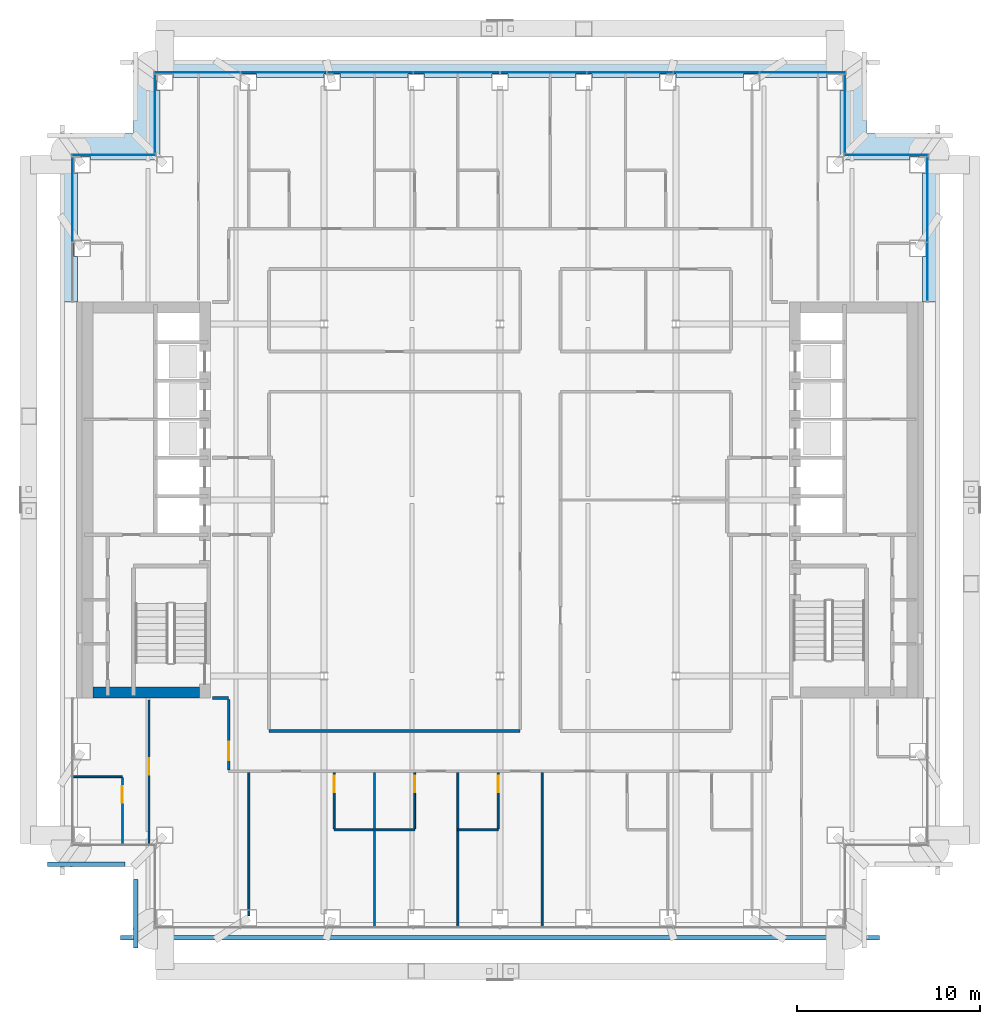
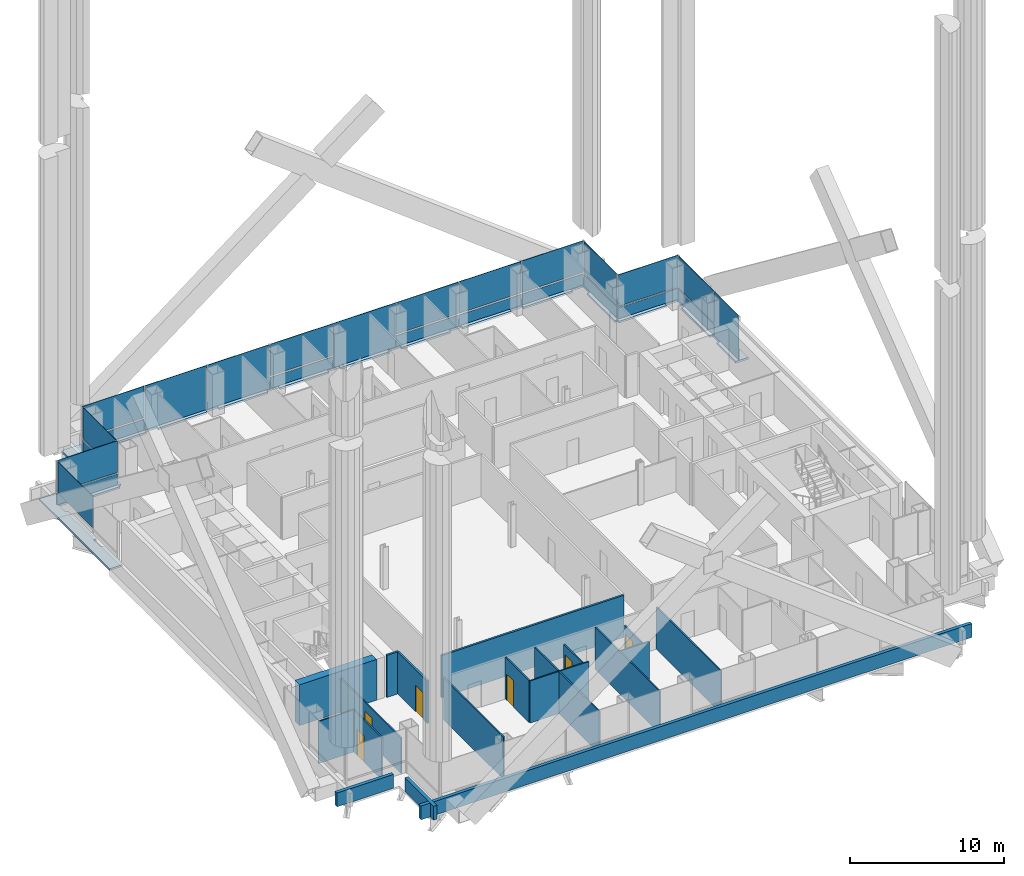
# One storey, part 12 of 22: 25 plates, 20 walls, 6 doors, 1 slab, 6 openings, 7 elements without a shape of their own.
"""IFC4 building model written with IfcOpenShell, lengths in metres."""

from ifc_helpers import new_model, si_unit, direction, frame, frame_2d, origin, origin_2d, place, context, subcontext, project, spatial, polyline, rectangle, outline, extrude, material, layer, layer_set, type_object, element, fill, aggregate, save


model = new_model("IFC4")

# Units and contexts
model_context = context("Model", 3, precision=1e-05, world=origin(), true_north=direction((0.0, 1.0)))
body_context = subcontext(model_context, "Body", "Model", "MODEL_VIEW")
ifc_project = project(units=[si_unit("LENGTHUNIT", "METRE"), si_unit("AREAUNIT", "SQUARE_METRE"), si_unit("VOLUMEUNIT", "CUBIC_METRE"), si_unit("PLANEANGLEUNIT", "RADIAN"), si_unit("MASSUNIT", "GRAM", prefix="KILO")], contexts=[model_context])

# Site, building, storey
site_placement = place(None, origin())
site = spatial("IfcSite", under=ifc_project, at=site_placement, CompositionType="ELEMENT")
building_placement = place(site_placement, origin())
building = spatial("IfcBuilding", under=site, at=building_placement, Name="Cobrizo Arcos Hotel Tower", CompositionType="ELEMENT")
storey_placement = place(building_placement, frame((0.0, 0.0, 89.0)))
storey = spatial("IfcBuildingStorey", under=building, at=storey_placement, Name="L21", CompositionType="ELEMENT", Elevation=89.0)

# Curtain wall, plate
ifc_material_1 = material(Name="Aluminium 6063-T6 anodised bronze", Category="aluminium")
curtain_wall_type = type_object("IfcCurtainWallType", Name="CW-A guest facade", PredefinedType="NOTDEFINED", material=ifc_material_1)
curtain_wall_1_placement = place(storey_placement, origin())
curtain_wall_1 = element("IfcCurtainWall", 1, at=curtain_wall_1_placement, inside=storey, type_object=curtain_wall_type, Name="CW-A L21 E face", PredefinedType="NOTDEFINED")
ifc_material_2 = material(Name="Glass clear laminated low-e", Category="glass")
ifc_layer_1 = layer(ifc_material_2, 0.0400390625)
ifc_layer_set_1 = layer_set([ifc_layer_1], Name="CW-A glass panel")
plate_type_1 = type_object("IfcPlateType", Name="CW-A glass panel", PredefinedType="CURTAIN_PANEL", material=ifc_layer_set_1)
plate_1_placement = place(storey_placement, frame((23.324951171875, 16.391357421875, 0.990234375), z_axis=(0.0, 0.0, 1.0), x_axis=(0.0, 1.0, 0.0)))
plate_1 = element("IfcPlate", 2, at=plate_1_placement, type_object=plate_type_1, Name="CW-A glass panel 864", PredefinedType="CURTAIN_PANEL", context=body_context, shape_type="SweptSolid", body=[
    extrude(rectangle(XDim=4.597412109375, YDim=0.0400390625, at=origin_2d()), origin(), (0.0, 0.0, 1.0), 2.510009765625),
])

curtain_wall_2_placement = place(storey_placement, origin())
curtain_wall_2 = element("IfcCurtainWall", 3, at=curtain_wall_2_placement, inside=storey, type_object=curtain_wall_type, Name="CW-A L21 N face", PredefinedType="NOTDEFINED")
plate_2_placement = place(storey_placement, frame((21.074951171875, 18.824951171875, 0.990234375), z_axis=(0.0, 0.0, 1.0), x_axis=(-1.0, 0.0, 0.0)))
plate_2 = element("IfcPlate", 4, at=plate_2_placement, type_object=plate_type_1, Name="CW-A glass panel 865", PredefinedType="CURTAIN_PANEL", context=body_context, shape_type="SweptSolid", body=[
    extrude(rectangle(XDim=4.530029296875, YDim=0.0400390625, at=origin_2d()), origin(), (0.0, 0.0, 1.0), 2.510009765625),
])

curtain_wall_3_placement = place(storey_placement, origin())
curtain_wall_3 = element("IfcCurtainWall", 5, at=curtain_wall_3_placement, inside=storey, type_object=curtain_wall_type, Name="CW-A L21 E face", PredefinedType="NOTDEFINED")
plate_3_placement = place(storey_placement, frame((18.824951171875, 21.074951171875, 0.990234375), z_axis=(0.0, 0.0, 1.0), x_axis=(0.0, 1.0, 0.0)))
plate_3 = element("IfcPlate", 6, at=plate_3_placement, type_object=plate_type_1, Name="CW-A glass panel 866", PredefinedType="CURTAIN_PANEL", context=body_context, shape_type="SweptSolid", body=[
    extrude(rectangle(XDim=4.22998046875, YDim=0.0400390625, at=origin_2d()), origin(), (0.0, 0.0, 1.0), 2.510009765625),
])

# Curtain wall, plates
curtain_wall_4_placement = place(storey_placement, origin())
curtain_wall_4 = element("IfcCurtainWall", 7, at=curtain_wall_4_placement, inside=storey, type_object=curtain_wall_type, Name="CW-A L21 N face", PredefinedType="NOTDEFINED")
plate_4_placement = place(storey_placement, frame((16.5224609375, 23.324951171875, 0.990234375), z_axis=(0.0, 0.0, 1.0), x_axis=(-1.0, 0.0, 0.0)))
plate_4 = element("IfcPlate", 8, at=plate_4_placement, type_object=plate_type_1, Name="CW-A glass panel 867", PredefinedType="CURTAIN_PANEL", context=body_context, shape_type="SweptSolid", body=[
    extrude(rectangle(XDim=4.635009765625, YDim=0.0400390625, at=origin_2d()), origin(), (0.0, 0.0, 1.0), 2.510009765625),
])
plate_5_placement = place(storey_placement, frame((11.8125, 23.324951171875, 0.990234375), z_axis=(0.0, 0.0, 1.0), x_axis=(-1.0, 0.0, 0.0)))
plate_5 = element("IfcPlate", 9, at=plate_5_placement, type_object=plate_type_1, Name="CW-A glass panel 868", PredefinedType="CURTAIN_PANEL", context=body_context, shape_type="SweptSolid", body=[
    extrude(rectangle(XDim=4.6650390625, YDim=0.0400390625, at=origin_2d()), origin(), (0.0, 0.0, 1.0), 2.510009765625),
])
plate_6_placement = place(storey_placement, frame((7.08740234375, 23.324951171875, 0.990234375), z_axis=(0.0, 0.0, 1.0), x_axis=(-1.0, 0.0, 0.0)))
plate_6 = element("IfcPlate", 10, at=plate_6_placement, type_object=plate_type_1, Name="CW-A glass panel 869", PredefinedType="CURTAIN_PANEL", context=body_context, shape_type="SweptSolid", body=[
    extrude(rectangle(XDim=4.6650390625, YDim=0.0400390625, at=origin_2d()), origin(), (0.0, 0.0, 1.0), 2.510009765625),
])
plate_7_placement = place(storey_placement, frame((-2.362548828125, 23.324951171875, 0.990234375), z_axis=(0.0, 0.0, 1.0), x_axis=(-1.0, 0.0, 0.0)))
plate_7 = element("IfcPlate", 11, at=plate_7_placement, type_object=plate_type_1, Name="CW-A glass panel 871", PredefinedType="CURTAIN_PANEL", context=body_context, shape_type="SweptSolid", body=[
    extrude(rectangle(XDim=4.6650390625, YDim=0.0400390625, at=origin_2d()), origin(), (0.0, 0.0, 1.0), 2.510009765625),
])
plate_8_placement = place(storey_placement, frame((-16.5224609375, 23.324951171875, 0.990234375), z_axis=(0.0, 0.0, 1.0), x_axis=(-1.0, 0.0, 0.0)))
plate_8 = element("IfcPlate", 12, at=plate_8_placement, type_object=plate_type_1, Name="CW-A glass panel 874", PredefinedType="CURTAIN_PANEL", context=body_context, shape_type="SweptSolid", body=[
    extrude(rectangle(XDim=4.635009765625, YDim=0.0400390625, at=origin_2d()), origin(), (0.0, 0.0, 1.0), 2.510009765625),
])

# Curtain wall, plate
curtain_wall_5_placement = place(storey_placement, origin())
curtain_wall_5 = element("IfcCurtainWall", 13, at=curtain_wall_5_placement, inside=storey, type_object=curtain_wall_type, Name="CW-A L21 W face", PredefinedType="NOTDEFINED")
plate_9_placement = place(storey_placement, frame((-18.824951171875, 21.074951171875, 0.990234375), z_axis=(0.0, 0.0, 1.0), x_axis=(0.0, -1.0, 0.0)))
plate_9 = element("IfcPlate", 14, at=plate_9_placement, type_object=plate_type_1, Name="CW-A glass panel 875", PredefinedType="CURTAIN_PANEL", context=body_context, shape_type="SweptSolid", body=[
    extrude(rectangle(XDim=4.22998046875, YDim=0.0400390625, at=origin_2d()), origin(), (0.0, 0.0, 1.0), 2.510009765625),
])

curtain_wall_6_placement = place(storey_placement, origin())
curtain_wall_6 = element("IfcCurtainWall", 15, at=curtain_wall_6_placement, inside=storey, type_object=curtain_wall_type, Name="CW-A L21 N face", PredefinedType="NOTDEFINED")
plate_10_placement = place(storey_placement, frame((-21.074951171875, 18.824951171875, 0.990234375), z_axis=(0.0, 0.0, 1.0), x_axis=(-1.0, 0.0, 0.0)))
plate_10 = element("IfcPlate", 16, at=plate_10_placement, type_object=plate_type_1, Name="CW-A glass panel 876", PredefinedType="CURTAIN_PANEL", context=body_context, shape_type="SweptSolid", body=[
    extrude(rectangle(XDim=4.530029296875, YDim=0.0400390625, at=origin_2d()), origin(), (0.0, 0.0, 1.0), 2.510009765625),
])

curtain_wall_7_placement = place(storey_placement, origin())
curtain_wall_7 = element("IfcCurtainWall", 17, at=curtain_wall_7_placement, inside=storey, type_object=curtain_wall_type, Name="CW-A L21 W face", PredefinedType="NOTDEFINED")
plate_11_placement = place(storey_placement, frame((-23.324951171875, 16.391357421875, 0.990234375), z_axis=(0.0, 0.0, 1.0), x_axis=(0.0, -1.0, 0.0)))
plate_11 = element("IfcPlate", 18, at=plate_11_placement, type_object=plate_type_1, Name="CW-A glass panel 877", PredefinedType="CURTAIN_PANEL", context=body_context, shape_type="SweptSolid", body=[
    extrude(rectangle(XDim=4.597412109375, YDim=0.0400390625, at=origin_2d()), origin(), (0.0, 0.0, 1.0), 2.510009765625),
])
aggregate(curtain_wall_7, [plate_11])

# Plate
ifc_material_3 = material(Name="Aluminium composite panel pale metal", Category="aluminium")
ifc_layer_2 = layer(ifc_material_3, 0.0400390625)
ifc_layer_set_2 = layer_set([ifc_layer_2], Name="CW-A spandrel panel")
plate_type_2 = type_object("IfcPlateType", Name="CW-A spandrel panel", PredefinedType="CURTAIN_PANEL", material=ifc_layer_set_2)
plate_12_placement = place(storey_placement, frame((23.324951171875, 12.4462890625, 0.0), z_axis=(0.0, 0.0, 1.0), x_axis=(0.0, 1.0, 0.0)))
plate_12 = element("IfcPlate", 19, at=plate_12_placement, type_object=plate_type_2, Name="CW-A spandrel panel 863", PredefinedType="CURTAIN_PANEL", context=body_context, shape_type="SweptSolid", body=[
    extrude(rectangle(XDim=3.172607421875, YDim=0.0400390625, at=origin_2d()), origin(), (0.0, 0.0, 1.0), 3.5),
])

plate_13_placement = place(storey_placement, frame((23.324951171875, 16.391357421875, 0.0), z_axis=(0.0, 0.0, 1.0), x_axis=(0.0, 1.0, 0.0)))
plate_13 = element("IfcPlate", 20, at=plate_13_placement, type_object=plate_type_2, Name="CW-A spandrel panel 864", PredefinedType="CURTAIN_PANEL", context=body_context, shape_type="SweptSolid", body=[
    extrude(rectangle(XDim=4.597412109375, YDim=0.0400390625, at=origin_2d()), origin(), (0.0, 0.0, 1.0), 0.8701171875),
])

aggregate(curtain_wall_1, [plate_12, plate_13, plate_1])

plate_14_placement = place(storey_placement, frame((21.074951171875, 18.824951171875, 0.0), z_axis=(0.0, 0.0, 1.0), x_axis=(-1.0, 0.0, 0.0)))
plate_14 = element("IfcPlate", 21, at=plate_14_placement, type_object=plate_type_2, Name="CW-A spandrel panel 865", PredefinedType="CURTAIN_PANEL", context=body_context, shape_type="SweptSolid", body=[
    extrude(rectangle(XDim=4.530029296875, YDim=0.0400390625, at=origin_2d()), origin(), (0.0, 0.0, 1.0), 0.8701171875),
])

aggregate(curtain_wall_2, [plate_14, plate_2])

plate_15_placement = place(storey_placement, frame((18.824951171875, 21.074951171875, 0.0), z_axis=(0.0, 0.0, 1.0), x_axis=(0.0, 1.0, 0.0)))
plate_15 = element("IfcPlate", 22, at=plate_15_placement, type_object=plate_type_2, Name="CW-A spandrel panel 866", PredefinedType="CURTAIN_PANEL", context=body_context, shape_type="SweptSolid", body=[
    extrude(rectangle(XDim=4.22998046875, YDim=0.0400390625, at=origin_2d()), origin(), (0.0, 0.0, 1.0), 0.8701171875),
])

aggregate(curtain_wall_3, [plate_15, plate_3])

plate_16_placement = place(storey_placement, frame((16.5224609375, 23.324951171875, 0.0), z_axis=(0.0, 0.0, 1.0), x_axis=(-1.0, 0.0, 0.0)))
plate_16 = element("IfcPlate", 23, at=plate_16_placement, type_object=plate_type_2, Name="CW-A spandrel panel 867", PredefinedType="CURTAIN_PANEL", context=body_context, shape_type="SweptSolid", body=[
    extrude(rectangle(XDim=4.635009765625, YDim=0.0400390625, at=origin_2d()), origin(), (0.0, 0.0, 1.0), 0.8701171875),
])

plate_17_placement = place(storey_placement, frame((11.8125, 23.324951171875, 0.0), z_axis=(0.0, 0.0, 1.0), x_axis=(-1.0, 0.0, 0.0)))
plate_17 = element("IfcPlate", 24, at=plate_17_placement, type_object=plate_type_2, Name="CW-A spandrel panel 868", PredefinedType="CURTAIN_PANEL", context=body_context, shape_type="SweptSolid", body=[
    extrude(rectangle(XDim=4.6650390625, YDim=0.0400390625, at=origin_2d()), origin(), (0.0, 0.0, 1.0), 0.8701171875),
])

plate_18_placement = place(storey_placement, frame((7.08740234375, 23.324951171875, 0.0), z_axis=(0.0, 0.0, 1.0), x_axis=(-1.0, 0.0, 0.0)))
plate_18 = element("IfcPlate", 25, at=plate_18_placement, type_object=plate_type_2, Name="CW-A spandrel panel 869", PredefinedType="CURTAIN_PANEL", context=body_context, shape_type="SweptSolid", body=[
    extrude(rectangle(XDim=4.6650390625, YDim=0.0400390625, at=origin_2d()), origin(), (0.0, 0.0, 1.0), 0.8701171875),
])

plate_19_placement = place(storey_placement, frame((2.362548828125, 23.324951171875, 0.0), z_axis=(0.0, 0.0, 1.0), x_axis=(-1.0, 0.0, 0.0)))
plate_19 = element("IfcPlate", 26, at=plate_19_placement, type_object=plate_type_2, Name="CW-A spandrel panel 870", PredefinedType="CURTAIN_PANEL", context=body_context, shape_type="SweptSolid", body=[
    extrude(rectangle(XDim=4.6650390625, YDim=0.0400390625, at=origin_2d()), origin(), (0.0, 0.0, 1.0), 3.5),
])

plate_20_placement = place(storey_placement, frame((-2.362548828125, 23.324951171875, 0.0), z_axis=(0.0, 0.0, 1.0), x_axis=(-1.0, 0.0, 0.0)))
plate_20 = element("IfcPlate", 27, at=plate_20_placement, type_object=plate_type_2, Name="CW-A spandrel panel 871", PredefinedType="CURTAIN_PANEL", context=body_context, shape_type="SweptSolid", body=[
    extrude(rectangle(XDim=4.6650390625, YDim=0.0400390625, at=origin_2d()), origin(), (0.0, 0.0, 1.0), 0.8701171875),
])

plate_21_placement = place(storey_placement, frame((-7.08740234375, 23.324951171875, 0.0), z_axis=(0.0, 0.0, 1.0), x_axis=(-1.0, 0.0, 0.0)))
plate_21 = element("IfcPlate", 28, at=plate_21_placement, type_object=plate_type_2, Name="CW-A spandrel panel 872", PredefinedType="CURTAIN_PANEL", context=body_context, shape_type="SweptSolid", body=[
    extrude(rectangle(XDim=4.6650390625, YDim=0.0400390625, at=origin_2d()), origin(), (0.0, 0.0, 1.0), 3.5),
])

plate_22_placement = place(storey_placement, frame((-11.8125, 23.324951171875, 0.0), z_axis=(0.0, 0.0, 1.0), x_axis=(-1.0, 0.0, 0.0)))
plate_22 = element("IfcPlate", 29, at=plate_22_placement, type_object=plate_type_2, Name="CW-A spandrel panel 873", PredefinedType="CURTAIN_PANEL", context=body_context, shape_type="SweptSolid", body=[
    extrude(rectangle(XDim=4.6650390625, YDim=0.0400390625, at=origin_2d()), origin(), (0.0, 0.0, 1.0), 3.5),
])

plate_23_placement = place(storey_placement, frame((-16.5224609375, 23.324951171875, 0.0), z_axis=(0.0, 0.0, 1.0), x_axis=(-1.0, 0.0, 0.0)))
plate_23 = element("IfcPlate", 30, at=plate_23_placement, type_object=plate_type_2, Name="CW-A spandrel panel 874", PredefinedType="CURTAIN_PANEL", context=body_context, shape_type="SweptSolid", body=[
    extrude(rectangle(XDim=4.635009765625, YDim=0.0400390625, at=origin_2d()), origin(), (0.0, 0.0, 1.0), 0.8701171875),
])

aggregate(curtain_wall_4, [plate_16, plate_4, plate_17, plate_5, plate_18, plate_6, plate_19, plate_20, plate_7, plate_21, plate_22, plate_23, plate_8])

plate_24_placement = place(storey_placement, frame((-18.824951171875, 21.074951171875, 0.0), z_axis=(0.0, 0.0, 1.0), x_axis=(0.0, -1.0, 0.0)))
plate_24 = element("IfcPlate", 31, at=plate_24_placement, type_object=plate_type_2, Name="CW-A spandrel panel 875", PredefinedType="CURTAIN_PANEL", context=body_context, shape_type="SweptSolid", body=[
    extrude(rectangle(XDim=4.22998046875, YDim=0.0400390625, at=origin_2d()), origin(), (0.0, 0.0, 1.0), 0.8701171875),
])

aggregate(curtain_wall_5, [plate_24, plate_9])

plate_25_placement = place(storey_placement, frame((-21.074951171875, 18.824951171875, 0.0), z_axis=(0.0, 0.0, 1.0), x_axis=(-1.0, 0.0, 0.0)))
plate_25 = element("IfcPlate", 32, at=plate_25_placement, type_object=plate_type_2, Name="CW-A spandrel panel 876", PredefinedType="CURTAIN_PANEL", context=body_context, shape_type="SweptSolid", body=[
    extrude(rectangle(XDim=4.530029296875, YDim=0.0400390625, at=origin_2d()), origin(), (0.0, 0.0, 1.0), 0.8701171875),
])

aggregate(curtain_wall_6, [plate_25, plate_10])

# Slab
ifc_material_4 = material(Name="Concrete f'c 35 MPa", Category="concrete")
ifc_layer_3 = layer(ifc_material_4, 0.14990234375)
ifc_layer_set_3 = layer_set([ifc_layer_3], Name="RC roof slab 150 f'c 35")
slab_type = type_object("IfcSlabType", Name="RC roof slab 150 f'c 35", PredefinedType="ROOF", material=ifc_layer_set_3)
slab_placement = place(storey_placement, frame((0.0, 0.0, -0.14990234375)))
element("IfcSlab", 33, at=slab_placement, inside=storey, type_object=slab_type, Name="Roof slab RS5, L21, no. 02", PredefinedType="ROOF", context=body_context, shape_type="SweptSolid", body=[
    extrude(outline(polyline([(-24.0, 20.0), (-20.0, 20.0), (-20.0, 24.0), (20.0, 24.0), (20.0, 20.0), (24.0, 20.0), (24.0, 10.800048828125), (23.050048828125, 10.800048828125), (23.050048828125, 13.27490234375), (23.25, 13.27490234375), (23.25, 14.175048828125), (23.050048828125, 14.175048828125), (23.050048828125, 17.85009765625), (23.25, 17.85009765625), (23.25, 18.75), (22.35009765625, 18.75), (22.35009765625, 18.550048828125), (18.75, 18.550048828125), (18.75, 18.75), (18.550048828125, 18.75), (18.550048828125, 22.35009765625), (18.75, 22.35009765625), (18.75, 23.25), (17.85009765625, 23.25), (17.85009765625, 23.050048828125), (14.175048828125, 23.050048828125), (14.175048828125, 23.25), (13.27490234375, 23.25), (13.27490234375, 23.050048828125), (9.60009765625, 23.050048828125), (9.60009765625, 23.25), (8.699951171875, 23.25), (8.699951171875, 23.050048828125), (5.02490234375, 23.050048828125), (5.02490234375, 23.25), (4.125, 23.25), (4.125, 23.050048828125), (0.449951171875, 23.050048828125), (0.449951171875, 23.25), (-0.449951171875, 23.25), (-0.449951171875, 23.050048828125), (-4.125, 23.050048828125), (-4.125, 23.25), (-5.02490234375, 23.25), (-5.02490234375, 23.050048828125), (-8.699951171875, 23.050048828125), (-8.699951171875, 23.25), (-9.60009765625, 23.25), (-9.60009765625, 23.050048828125), (-13.27490234375, 23.050048828125), (-13.27490234375, 23.25), (-14.175048828125, 23.25), (-14.175048828125, 23.050048828125), (-17.85009765625, 23.050048828125), (-17.85009765625, 23.25), (-18.75, 23.25), (-18.75, 22.35009765625), (-18.550048828125, 22.35009765625), (-18.550048828125, 18.75), (-18.75, 18.75), (-18.75, 18.550048828125), (-22.35009765625, 18.550048828125), (-22.35009765625, 18.75), (-23.25, 18.75), (-23.25, 17.85009765625), (-23.050048828125, 17.85009765625), (-23.050048828125, 14.175048828125), (-23.25, 14.175048828125), (-23.25, 13.27490234375), (-23.050048828125, 13.27490234375), (-23.050048828125, 10.800048828125), (-24.0, 10.800048828125), (-24.0, 20.0)])), origin(), (0.0, 0.0, 1.0), 0.14990234375),
])

# Walls
ifc_material_5 = material(Name="Gypsum board partition")
ifc_layer_4 = layer(ifc_material_5, 0.14990234375)
ifc_layer_set_4 = layer_set([ifc_layer_4], Name="Corridor wall EI 60 150")
wall_type_1 = type_object("IfcWallType", Name="Corridor wall EI 60 150", PredefinedType="PARTITIONING", material=ifc_layer_set_4)
wall_1_placement = place(storey_placement, frame((-12.60009765625, -12.60009765625, 0.0), z_axis=(0.0, 0.0, 1.0), x_axis=(1.0, 0.0, 0.0)))
element("IfcWall", 34, at=wall_1_placement, inside=storey, type_object=wall_type_1, Name="Partition 008", PredefinedType="PARTITIONING", context=body_context, shape_type="SweptSolid", body=[
    extrude(rectangle(XDim=13.7001953125, YDim=0.14990234375, at=frame_2d((6.85009765625, 0.0))), origin(), (0.0, 0.0, 1.0), 3.35009765625),
])
wall_2_placement = place(storey_placement, frame((-15.679931640625, -10.800048828125, 0.0), z_axis=(0.0, 0.0, 1.0), x_axis=(1.0, 0.0, 0.0)))
element("IfcWall", 35, at=wall_2_placement, inside=storey, type_object=wall_type_1, Name="Partition 010", PredefinedType="PARTITIONING", context=body_context, shape_type="SweptSolid", body=[
    extrude(rectangle(XDim=0.8798828125, YDim=0.14990234375, at=frame_2d((0.43994140625, 0.0))), origin(), (0.0, 0.0, 1.0), 3.35009765625),
])

# Wall, opening, door
wall_3_placement = place(storey_placement, frame((-14.800048828125, -14.72509765625, 0.0), z_axis=(0.0, 0.0, 1.0), x_axis=(0.0, 1.0, 0.0)))
wall_3 = element("IfcWall", 36, at=wall_3_placement, inside=storey, type_object=wall_type_1, Name="Partition 060", PredefinedType="PARTITIONING", context=body_context, shape_type="SweptSolid", body=[
    extrude(rectangle(XDim=3.85009765625, YDim=0.14990234375, at=frame_2d((1.925048828125, 0.0))), origin(), (0.0, 0.0, 1.0), 3.35009765625),
])
opening_1_placement = place(wall_3_placement, frame((0.52490234375, 0.0, 0.0)))
opening_1 = element("IfcOpeningElement", 37, at=opening_1_placement, cuts=wall_3, Name="Opening GD-10", PredefinedType="OPENING", context=body_context, shape_type="SweptSolid", body=[
    extrude(rectangle(XDim=1.0, YDim=2.10009765625, at=frame_2d((0.5, 1.050048828125))), frame((0.0, 0.0869140625, 0.0), z_axis=(0.0, -1.0, 0.0), x_axis=(1.0, 0.0, 0.0)), (0.0, 0.0, 1.0), 0.173828125),
])
ifc_material_6 = material(Name="Timber door leaf", Category="wood")
door_type_1 = type_object("IfcDoorType", Name="Guest room door FD30S 1000x2100", OperationType="SINGLE_SWING_LEFT", PredefinedType="DOOR", material=ifc_material_6)
door_1_placement = place(opening_1_placement, origin())
door_1 = element("IfcDoor", 38, at=door_1_placement, inside=storey, type_object=door_type_1, Name="Door GD-10", OperationType="SINGLE_SWING_RIGHT", OverallHeight=2.10009765625, OverallWidth=1.0, PredefinedType="DOOR", context=body_context, shape_type="SweptSolid", body=[
    extrude(rectangle(XDim=1.0, YDim=2.10009765625, at=frame_2d((0.5, 1.050048828125))), frame((0.0, 0.02490234375, 0.0), z_axis=(0.0, -1.0, 0.0), x_axis=(1.0, 0.0, 0.0)), (0.0, 0.0, 1.0), 0.050048828125),
])
fill(opening_1, door_1)

# Walls
ifc_layer_5 = layer(ifc_material_3, 0.25)
ifc_layer_set_5 = layer_set([ifc_layer_5], Name="PW-1 parapet wall")
wall_type_2 = type_object("IfcWallType", Name="PW-1 parapet wall", PredefinedType="PARAPET", material=ifc_layer_set_5)
wall_4_placement = place(storey_placement, frame((-20.699951171875, -23.875, 0.0), z_axis=(0.0, 0.0, 1.0), x_axis=(1.0, 0.0, 0.0)))
element("IfcWall", 39, at=wall_4_placement, inside=storey, type_object=wall_type_2, Name="Parapet L20 S", PredefinedType="PARAPET", context=body_context, shape_type="SweptSolid", body=[
    extrude(rectangle(XDim=41.39990234375, YDim=0.25, at=frame_2d((20.699951171875, 0.0))), origin(), (0.0, 0.0, 1.0), 1.10009765625),
])
wall_5_placement = place(storey_placement, frame((-24.699951171875, -19.875, 0.0), z_axis=(0.0, 0.0, 1.0), x_axis=(1.0, 0.0, 0.0)))
element("IfcWall", 40, at=wall_5_placement, inside=storey, type_object=wall_type_2, Name="Parapet L20 S", PredefinedType="PARAPET", context=body_context, shape_type="SweptSolid", body=[
    extrude(rectangle(XDim=4.25, YDim=0.25, at=frame_2d((2.125, 0.0))), origin(), (0.0, 0.0, 1.0), 1.10009765625),
])
wall_6_placement = place(storey_placement, frame((-19.875, -20.699951171875, 0.0), z_axis=(0.0, 0.0, 1.0), x_axis=(0.0, -1.0, 0.0)))
element("IfcWall", 41, at=wall_6_placement, inside=storey, type_object=wall_type_2, Name="Parapet L20 W", PredefinedType="PARAPET", context=body_context, shape_type="SweptSolid", body=[
    extrude(rectangle(XDim=3.75, YDim=0.25, at=frame_2d((1.875, 0.0))), origin(), (0.0, 0.0, 1.0), 1.10009765625),
])
ifc_layer_6 = layer(ifc_material_5, 0.10009765625)
ifc_layer_set_6 = layer_set([ifc_layer_6], Name="Partition EI 30 100")
wall_type_3 = type_object("IfcWallType", Name="Partition EI 30 100", PredefinedType="PARTITIONING", material=ifc_layer_set_6)
wall_7_placement = place(storey_placement, frame((-9.050048828125, -18.0, 0.0), z_axis=(0.0, 0.0, 1.0), x_axis=(1.0, 0.0, 0.0)))
element("IfcWall", 42, at=wall_7_placement, inside=storey, type_object=wall_type_3, Name="Partition 001", PredefinedType="PARTITIONING", context=body_context, shape_type="SweptSolid", body=[
    extrude(rectangle(XDim=4.400146484375, YDim=0.10009765625, at=frame_2d((2.2001953125, 0.0))), origin(), (0.0, 0.0, 1.0), 3.35009765625),
])
wall_8_placement = place(storey_placement, frame((-2.300048828125, -18.0, 0.0), z_axis=(0.0, 0.0, 1.0), x_axis=(1.0, 0.0, 0.0)))
element("IfcWall", 43, at=wall_8_placement, inside=storey, type_object=wall_type_3, Name="Partition 002", PredefinedType="PARTITIONING", context=body_context, shape_type="SweptSolid", body=[
    extrude(rectangle(XDim=2.199951171875, YDim=0.10009765625, at=frame_2d((1.10009765625, 0.0))), origin(), (0.0, 0.0, 1.0), 3.35009765625),
])
wall_9_placement = place(storey_placement, frame((-23.280029296875, -15.10009765625, 0.0), z_axis=(0.0, 0.0, 1.0), x_axis=(1.0, 0.0, 0.0)))
element("IfcWall", 44, at=wall_9_placement, inside=storey, type_object=wall_type_3, Name="Partition 005", PredefinedType="PARTITIONING", context=body_context, shape_type="SweptSolid", body=[
    extrude(rectangle(XDim=2.679931640625, YDim=0.10009765625, at=frame_2d((1.33984375, 0.0))), origin(), (0.0, 0.0, 1.0), 3.35009765625),
])

# Wall, opening, door
wall_10_placement = place(storey_placement, frame((-20.60009765625, -18.780029296875, 0.0), z_axis=(0.0, 0.0, 1.0), x_axis=(0.0, 1.0, 0.0)))
wall_10 = element("IfcWall", 45, at=wall_10_placement, inside=storey, type_object=wall_type_3, Name="Partition 053", PredefinedType="PARTITIONING", context=body_context, shape_type="SweptSolid", body=[
    extrude(rectangle(XDim=3.630126953125, YDim=0.10009765625, at=frame_2d((1.81494140625, 0.0))), origin(), (0.0, 0.0, 1.0), 3.35009765625),
])
opening_2_placement = place(wall_10_placement, frame((2.27001953125, 0.0, 0.0)))
opening_2 = element("IfcOpeningElement", 46, at=opening_2_placement, cuts=wall_10, Name="Opening ED-10", PredefinedType="OPENING", context=body_context, shape_type="SweptSolid", body=[
    extrude(rectangle(XDim=0.89990234375, YDim=2.10009765625, at=frame_2d((0.449951171875, 1.050048828125))), frame((0.0, 0.06201171875, 0.0), z_axis=(0.0, -1.0, 0.0), x_axis=(1.0, 0.0, 0.0)), (0.0, 0.0, 1.0), 0.1240234375),
])
door_type_2 = type_object("IfcDoorType", Name="En-suite door 900x2100", OperationType="SINGLE_SWING_LEFT", PredefinedType="DOOR", material=ifc_material_6)
door_2_placement = place(opening_2_placement, origin())
door_2 = element("IfcDoor", 47, at=door_2_placement, inside=storey, type_object=door_type_2, Name="Door ED-10", OperationType="SINGLE_SWING_LEFT", OverallHeight=2.10009765625, OverallWidth=0.89990234375, PredefinedType="DOOR", context=body_context, shape_type="SweptSolid", body=[
    extrude(rectangle(XDim=0.89990234375, YDim=2.10009765625, at=frame_2d((0.449951171875, 1.050048828125))), frame((0.0, 0.02490234375, 0.0), z_axis=(0.0, -1.0, 0.0), x_axis=(1.0, 0.0, 0.0)), (0.0, 0.0, 1.0), 0.050048828125),
])
fill(opening_2, door_2)

wall_11_placement = place(storey_placement, frame((-19.14990234375, -18.780029296875, 0.0), z_axis=(0.0, 0.0, 1.0), x_axis=(0.0, 1.0, 0.0)))
wall_11 = element("IfcWall", 48, at=wall_11_placement, inside=storey, type_object=wall_type_3, Name="Partition 056", PredefinedType="PARTITIONING", context=body_context, shape_type="SweptSolid", body=[
    extrude(rectangle(XDim=7.860107421875, YDim=0.10009765625, at=frame_2d((3.93017578125, 0.0))), origin(), (0.0, 0.0, 1.0), 2.81689453125),
])
opening_3_placement = place(wall_11_placement, frame((3.780029296875, 0.0, 0.0)))
opening_3 = element("IfcOpeningElement", 49, at=opening_3_placement, cuts=wall_11, Name="Opening RD-12", PredefinedType="OPENING", context=body_context, shape_type="SweptSolid", body=[
    extrude(rectangle(XDim=0.89990234375, YDim=2.10009765625, at=frame_2d((0.449951171875, 1.050048828125))), frame((0.0, 0.06201171875, 0.0), z_axis=(0.0, -1.0, 0.0), x_axis=(1.0, 0.0, 0.0)), (0.0, 0.0, 1.0), 0.1240234375),
])
door_type_3 = type_object("IfcDoorType", Name="Room door FD30 900x2100", OperationType="SINGLE_SWING_LEFT", PredefinedType="DOOR", material=ifc_material_6)
door_3_placement = place(opening_3_placement, origin())
door_3 = element("IfcDoor", 50, at=door_3_placement, inside=storey, type_object=door_type_3, Name="Door RD-12", OperationType="SINGLE_SWING_LEFT", OverallHeight=2.10009765625, OverallWidth=0.89990234375, PredefinedType="DOOR", context=body_context, shape_type="SweptSolid", body=[
    extrude(rectangle(XDim=0.89990234375, YDim=2.10009765625, at=frame_2d((0.449951171875, 1.050048828125))), frame((0.0, 0.02490234375, 0.0), z_axis=(0.0, -1.0, 0.0), x_axis=(1.0, 0.0, 0.0)), (0.0, 0.0, 1.0), 0.050048828125),
])
fill(opening_3, door_3)

# Wall
wall_12_placement = place(storey_placement, frame((-13.699951171875, -22.679931640625, 0.0), z_axis=(0.0, 0.0, 1.0), x_axis=(0.0, 1.0, 0.0)))
element("IfcWall", 51, at=wall_12_placement, inside=storey, type_object=wall_type_3, Name="Partition 062", PredefinedType="PARTITIONING", context=body_context, shape_type="SweptSolid", body=[
    extrude(rectangle(XDim=7.804931640625, YDim=0.10009765625, at=frame_2d((3.90234375, 0.0))), origin(), (0.0, 0.0, 1.0), 3.35009765625),
])

# Wall, opening, door
wall_13_placement = place(storey_placement, frame((-9.050048828125, -17.949951171875, 0.0), z_axis=(0.0, 0.0, 1.0), x_axis=(0.0, 1.0, 0.0)))
wall_13 = element("IfcWall", 52, at=wall_13_placement, inside=storey, type_object=wall_type_3, Name="Partition 069", PredefinedType="PARTITIONING", context=body_context, shape_type="SweptSolid", body=[
    extrude(rectangle(XDim=3.074951171875, YDim=0.10009765625, at=frame_2d((1.53759765625, 0.0))), origin(), (0.0, 0.0, 1.0), 3.35009765625),
])
opening_4_placement = place(wall_13_placement, frame((1.99609375, 0.0, 0.0)))
opening_4 = element("IfcOpeningElement", 53, at=opening_4_placement, cuts=wall_13, Name="Opening ED-05", PredefinedType="OPENING", context=body_context, shape_type="SweptSolid", body=[
    extrude(rectangle(XDim=0.89990234375, YDim=2.10009765625, at=frame_2d((0.449951171875, 1.050048828125))), frame((0.0, 0.06201171875, 0.0), z_axis=(0.0, -1.0, 0.0), x_axis=(1.0, 0.0, 0.0)), (0.0, 0.0, 1.0), 0.1240234375),
])
door_4_placement = place(opening_4_placement, origin())
door_4 = element("IfcDoor", 54, at=door_4_placement, inside=storey, type_object=door_type_2, Name="Door ED-05", OperationType="SINGLE_SWING_RIGHT", OverallHeight=2.10009765625, OverallWidth=0.89990234375, PredefinedType="DOOR", context=body_context, shape_type="SweptSolid", body=[
    extrude(rectangle(XDim=0.89990234375, YDim=2.10009765625, at=frame_2d((0.449951171875, 1.050048828125))), frame((0.0, 0.02490234375, 0.0), z_axis=(0.0, -1.0, 0.0), x_axis=(1.0, 0.0, 0.0)), (0.0, 0.0, 1.0), 0.050048828125),
])
fill(opening_4, door_4)

# Walls
wall_14_placement = place(storey_placement, frame((-6.85009765625, -23.280029296875, 0.0), z_axis=(0.0, 0.0, 1.0), x_axis=(0.0, 1.0, 0.0)))
element("IfcWall", 55, at=wall_14_placement, inside=storey, type_object=wall_type_3, Name="Partition 070", PredefinedType="PARTITIONING", context=body_context, shape_type="SweptSolid", body=[
    extrude(rectangle(XDim=5.22998046875, YDim=0.10009765625, at=frame_2d((2.614990234375, 0.0))), origin(), (0.0, 0.0, 1.0), 3.35009765625),
])
wall_15_placement = place(storey_placement, frame((-6.85009765625, -17.949951171875, 0.0), z_axis=(0.0, 0.0, 1.0), x_axis=(0.0, 1.0, 0.0)))
element("IfcWall", 56, at=wall_15_placement, inside=storey, type_object=wall_type_3, Name="Partition 071", PredefinedType="PARTITIONING", context=body_context, shape_type="SweptSolid", body=[
    extrude(rectangle(XDim=3.074951171875, YDim=0.10009765625, at=frame_2d((1.53759765625, 0.0))), origin(), (0.0, 0.0, 1.0), 3.35009765625),
])

# Wall, opening, door
wall_16_placement = place(storey_placement, frame((-4.64990234375, -17.949951171875, 0.0), z_axis=(0.0, 0.0, 1.0), x_axis=(0.0, 1.0, 0.0)))
wall_16 = element("IfcWall", 57, at=wall_16_placement, inside=storey, type_object=wall_type_3, Name="Partition 073", PredefinedType="PARTITIONING", context=body_context, shape_type="SweptSolid", body=[
    extrude(rectangle(XDim=3.074951171875, YDim=0.10009765625, at=frame_2d((1.53759765625, 0.0))), origin(), (0.0, 0.0, 1.0), 2.81689453125),
])
opening_5_placement = place(wall_16_placement, frame((1.99609375, 0.0, 0.0)))
opening_5 = element("IfcOpeningElement", 58, at=opening_5_placement, cuts=wall_16, Name="Opening ED-06", PredefinedType="OPENING", context=body_context, shape_type="SweptSolid", body=[
    extrude(rectangle(XDim=0.89990234375, YDim=2.10009765625, at=frame_2d((0.449951171875, 1.050048828125))), frame((0.0, 0.06201171875, 0.0), z_axis=(0.0, -1.0, 0.0), x_axis=(1.0, 0.0, 0.0)), (0.0, 0.0, 1.0), 0.1240234375),
])
door_5_placement = place(opening_5_placement, origin())
door_5 = element("IfcDoor", 59, at=door_5_placement, inside=storey, type_object=door_type_2, Name="Door ED-06", OperationType="SINGLE_SWING_RIGHT", OverallHeight=2.10009765625, OverallWidth=0.89990234375, PredefinedType="DOOR", context=body_context, shape_type="SweptSolid", body=[
    extrude(rectangle(XDim=0.89990234375, YDim=2.10009765625, at=frame_2d((0.449951171875, 1.050048828125))), frame((0.0, 0.02490234375, 0.0), z_axis=(0.0, -1.0, 0.0), x_axis=(1.0, 0.0, 0.0)), (0.0, 0.0, 1.0), 0.050048828125),
])
fill(opening_5, door_5)

# Wall
wall_17_placement = place(storey_placement, frame((-2.300048828125, -23.280029296875, 0.0), z_axis=(0.0, 0.0, 1.0), x_axis=(0.0, 1.0, 0.0)))
element("IfcWall", 60, at=wall_17_placement, inside=storey, type_object=wall_type_3, Name="Partition 075", PredefinedType="PARTITIONING", context=body_context, shape_type="SweptSolid", body=[
    extrude(rectangle(XDim=8.405029296875, YDim=0.10009765625, at=frame_2d((4.20263671875, 0.0))), origin(), (0.0, 0.0, 1.0), 3.35009765625),
])

# Wall, opening, door
wall_18_placement = place(storey_placement, frame((-0.10009765625, -17.949951171875, 0.0), z_axis=(0.0, 0.0, 1.0), x_axis=(0.0, 1.0, 0.0)))
wall_18 = element("IfcWall", 61, at=wall_18_placement, inside=storey, type_object=wall_type_3, Name="Partition 077", PredefinedType="PARTITIONING", context=body_context, shape_type="SweptSolid", body=[
    extrude(rectangle(XDim=3.074951171875, YDim=0.10009765625, at=frame_2d((1.53759765625, 0.0))), origin(), (0.0, 0.0, 1.0), 2.72802734375),
])
opening_6_placement = place(wall_18_placement, frame((1.99609375, 0.0, 0.0)))
opening_6 = element("IfcOpeningElement", 62, at=opening_6_placement, cuts=wall_18, Name="Opening ED-07", PredefinedType="OPENING", context=body_context, shape_type="SweptSolid", body=[
    extrude(rectangle(XDim=0.89990234375, YDim=2.10009765625, at=frame_2d((0.449951171875, 1.050048828125))), frame((0.0, 0.06201171875, 0.0), z_axis=(0.0, -1.0, 0.0), x_axis=(1.0, 0.0, 0.0)), (0.0, 0.0, 1.0), 0.1240234375),
])
door_6_placement = place(opening_6_placement, origin())
door_6 = element("IfcDoor", 63, at=door_6_placement, inside=storey, type_object=door_type_2, Name="Door ED-07", OperationType="SINGLE_SWING_RIGHT", OverallHeight=2.10009765625, OverallWidth=0.89990234375, PredefinedType="DOOR", context=body_context, shape_type="SweptSolid", body=[
    extrude(rectangle(XDim=0.89990234375, YDim=2.10009765625, at=frame_2d((0.449951171875, 1.050048828125))), frame((0.0, 0.02490234375, 0.0), z_axis=(0.0, -1.0, 0.0), x_axis=(1.0, 0.0, 0.0)), (0.0, 0.0, 1.0), 0.050048828125),
])
fill(opening_6, door_6)

# Walls
wall_19_placement = place(storey_placement, frame((2.300048828125, -23.280029296875, 0.0), z_axis=(0.0, 0.0, 1.0), x_axis=(0.0, 1.0, 0.0)))
element("IfcWall", 64, at=wall_19_placement, inside=storey, type_object=wall_type_3, Name="Partition 081", PredefinedType="PARTITIONING", context=body_context, shape_type="SweptSolid", body=[
    extrude(rectangle(XDim=8.405029296875, YDim=0.10009765625, at=frame_2d((4.20263671875, 0.0))), origin(), (0.0, 0.0, 1.0), 3.35009765625),
])
ifc_material_7 = material(Name="Concrete f'c 50 MPa", Category="concrete")
ifc_layer_7 = layer(ifc_material_7, 0.60009765625)
ifc_layer_set_7 = layer_set([ifc_layer_7], Name="RC core wall 600 f'c 50")
wall_type_4 = type_object("IfcWallType", Name="RC core wall 600 f'c 50", PredefinedType="SHEAR", material=ifc_layer_set_7)
wall_20_placement = place(storey_placement, frame((-22.199951171875, -10.5, 0.0), z_axis=(0.0, 0.0, 1.0), x_axis=(1.0, 0.0, 0.0)))
element("IfcWall", 65, at=wall_20_placement, inside=storey, type_object=wall_type_4, Name="Core wall CW2, west core, south end, L21", PredefinedType="SHEAR", context=body_context, shape_type="SweptSolid", body=[
    extrude(rectangle(XDim=5.800048828125, YDim=0.60009765625, at=frame_2d((2.89990234375, 0.0))), origin(), (0.0, 0.0, 1.0), 3.25),
])

save(model, "model.ifc")
